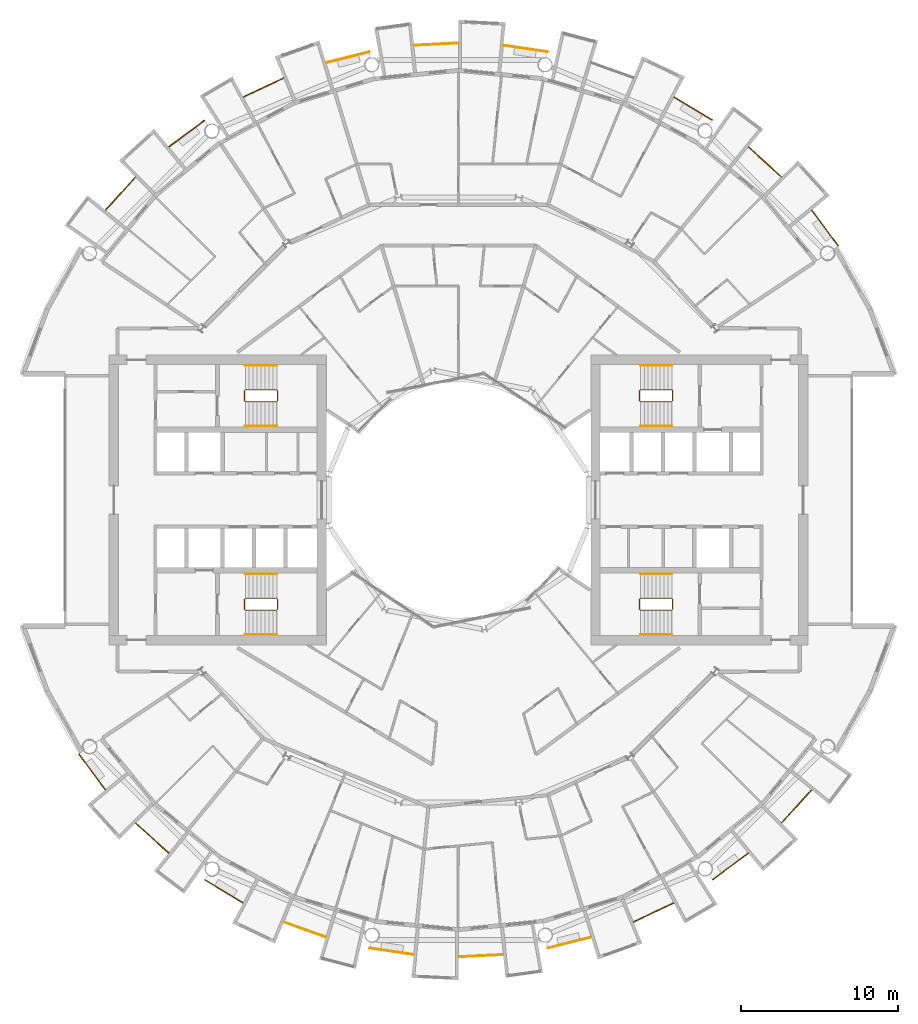
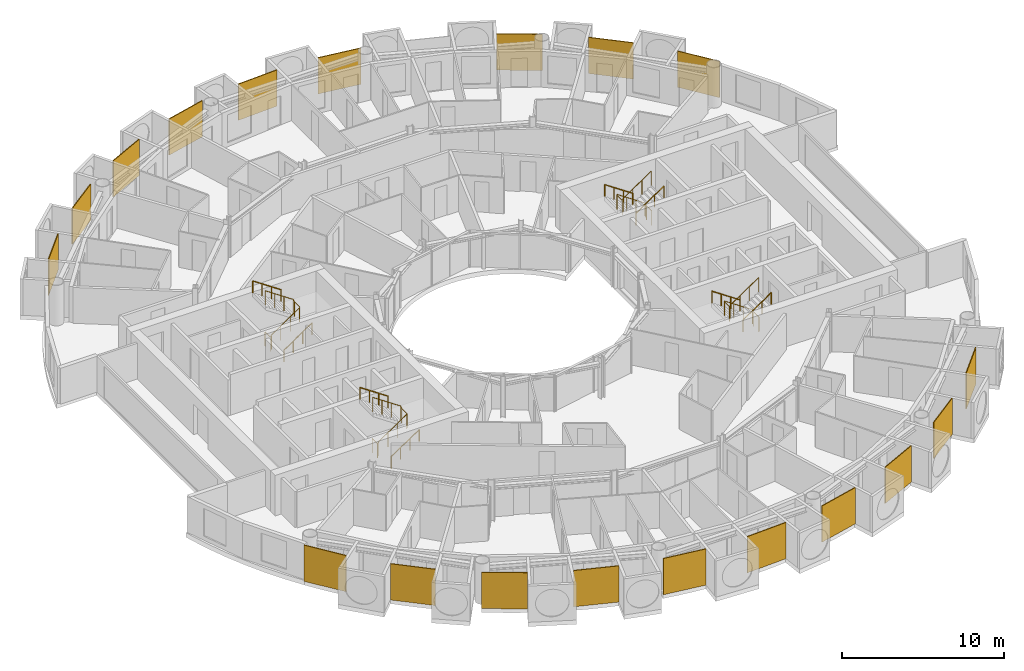
# One storey, part 26 of 27: 31 railings.
"""IFC4 building model written with IfcOpenShell, lengths in metres."""

from ifc_helpers import new_model, si_unit, direction, frame, origin, origin_2d, place, context, subcontext, project, spatial, polyline, circle, outline, extrude, material, layer, layer_set, type_object, element, save


model = new_model("IFC4")

# Units and contexts
model_context = context("Model", 3, precision=1e-05, world=origin(), true_north=direction((0.0, 1.0)))
body_context = subcontext(model_context, "Body", "Model", "MODEL_VIEW")
ifc_project = project(units=[si_unit("LENGTHUNIT", "METRE"), si_unit("AREAUNIT", "SQUARE_METRE"), si_unit("VOLUMEUNIT", "CUBIC_METRE"), si_unit("PLANEANGLEUNIT", "RADIAN"), si_unit("MASSUNIT", "GRAM", prefix="KILO")], contexts=[model_context])

# Site, building, storey
site_placement = place(None, origin())
site = spatial("IfcSite", under=ifc_project, at=site_placement, CompositionType="ELEMENT")
building_placement = place(site_placement, origin())
building = spatial("IfcBuilding", under=site, at=building_placement, Name="Maasbend Ring Residences", CompositionType="ELEMENT")
storey_placement = place(building_placement, frame((0.0, 0.0, 120.800048828125)))
storey = spatial("IfcBuildingStorey", under=building, at=storey_placement, Name="L34", CompositionType="ELEMENT", Elevation=120.800048828125)

# Railings
ifc_material_1 = material(Name="Pale anodised perforated aluminium", Category="aluminium")
ifc_layer = layer(ifc_material_1, 0.06005859375)
ifc_layer_set = layer_set([ifc_layer], Name="SCREEN-P")
railing_type_1 = type_object("IfcRailingType", Name="SCREEN-P", PredefinedType="GUARDRAIL", material=ifc_layer_set)
railing_1_placement = place(storey_placement, frame((0.0, 0.0, -0.030029296875)))
element("IfcRailing", 1, at=railing_1_placement, inside=storey, type_object=railing_type_1, Name="Perforated screen guard 1", PredefinedType="GUARDRAIL", context=body_context, shape_type="SweptSolid", body=[
    extrude(outline(polyline([(24.113037109375, 16.112060546875), (22.4169921875, 18.39697265625), (22.465087890625, 18.43310546875), (24.160888671875, 16.14697265625), (24.113037109375, 16.112060546875)])), origin(), (0.0, 0.0, 1.0), 2.72998046875),
])
railing_2_placement = place(storey_placement, frame((0.0, 0.0, -0.030029296875)))
element("IfcRailing", 2, at=railing_2_placement, inside=storey, type_object=railing_type_1, Name="Perforated screen guard 2", PredefinedType="GUARDRAIL", context=body_context, shape_type="SweptSolid", body=[
    extrude(outline(polyline([(20.506103515625, 20.506103515625), (18.39697265625, 22.4169921875), (18.43798828125, 22.4619140625), (20.5458984375, 20.551025390625), (20.506103515625, 20.506103515625)])), origin(), (0.0, 0.0, 1.0), 2.72998046875),
])
railing_3_placement = place(storey_placement, frame((0.0, 0.0, -0.030029296875)))
element("IfcRailing", 3, at=railing_3_placement, inside=storey, type_object=railing_type_1, Name="Perforated screen guard 3", PredefinedType="GUARDRAIL", context=body_context, shape_type="SweptSolid", body=[
    extrude(outline(polyline([(16.112060546875, 24.113037109375), (13.6708984375, 25.575927734375), (13.700927734375, 25.626953125), (16.14208984375, 24.1640625), (16.112060546875, 24.113037109375)])), origin(), (0.0, 0.0, 1.0), 2.72998046875),
])
railing_4_placement = place(storey_placement, frame((0.0, 0.0, -0.030029296875)))
element("IfcRailing", 4, at=railing_4_placement, inside=storey, type_object=railing_type_1, Name="Perforated screen guard 5", PredefinedType="GUARDRAIL", context=body_context, shape_type="SweptSolid", body=[
    extrude(outline(polyline([(5.657958984375, 28.443115234375), (2.842041015625, 28.860107421875), (2.85107421875, 28.919921875), (5.666015625, 28.501953125), (5.657958984375, 28.443115234375)])), origin(), (0.0, 0.0, 1.0), 2.72998046875),
])
railing_5_placement = place(storey_placement, frame((0.0, 0.0, -0.030029296875)))
element("IfcRailing", 5, at=railing_5_placement, inside=storey, type_object=railing_type_1, Name="Perforated screen guard 6", PredefinedType="GUARDRAIL", context=body_context, shape_type="SweptSolid", body=[
    extrude(outline(polyline([(0.0, 29.0), (-2.842041015625, 28.860107421875), (-2.844970703125, 28.919921875), (-0.0029296875, 29.06005859375), (0.0, 29.0)])), origin(), (0.0, 0.0, 1.0), 2.72998046875),
])
railing_6_placement = place(storey_placement, frame((0.0, 0.0, -0.030029296875)))
element("IfcRailing", 6, at=railing_6_placement, inside=storey, type_object=railing_type_1, Name="Perforated screen guard 7", PredefinedType="GUARDRAIL", context=body_context, shape_type="SweptSolid", body=[
    extrude(outline(polyline([(-5.657958984375, 28.443115234375), (-8.41796875, 27.7509765625), (-8.43310546875, 27.80908203125), (-5.672119140625, 28.5009765625), (-5.657958984375, 28.443115234375)])), origin(), (0.0, 0.0, 1.0), 2.72998046875),
])
railing_7_placement = place(storey_placement, frame((0.0, 0.0, -0.030029296875)))
element("IfcRailing", 7, at=railing_7_placement, inside=storey, type_object=railing_type_1, Name="Perforated screen guard 8", PredefinedType="GUARDRAIL", context=body_context, shape_type="SweptSolid", body=[
    extrude(outline(polyline([(-11.097900390625, 26.79296875), (-13.6708984375, 25.575927734375), (-13.696044921875, 25.6298828125), (-11.123046875, 26.846923828125), (-11.097900390625, 26.79296875)])), origin(), (0.0, 0.0, 1.0), 2.72998046875),
])
railing_8_placement = place(storey_placement, frame((0.0, 0.0, -0.030029296875)))
element("IfcRailing", 8, at=railing_8_placement, inside=storey, type_object=railing_type_1, Name="Perforated screen guard 9", PredefinedType="GUARDRAIL", context=body_context, shape_type="SweptSolid", body=[
    extrude(outline(polyline([(-16.112060546875, 24.113037109375), (-18.39697265625, 22.4169921875), (-18.43310546875, 22.465087890625), (-16.14697265625, 24.160888671875), (-16.112060546875, 24.113037109375)])), origin(), (0.0, 0.0, 1.0), 2.72998046875),
])
railing_9_placement = place(storey_placement, frame((0.0, 0.0, -0.030029296875)))
element("IfcRailing", 9, at=railing_9_placement, inside=storey, type_object=railing_type_1, Name="Perforated screen guard 10", PredefinedType="GUARDRAIL", context=body_context, shape_type="SweptSolid", body=[
    extrude(outline(polyline([(-20.506103515625, 20.506103515625), (-22.4169921875, 18.39697265625), (-22.4619140625, 18.43798828125), (-20.551025390625, 20.5458984375), (-20.506103515625, 20.506103515625)])), origin(), (0.0, 0.0, 1.0), 2.72998046875),
])
railing_10_placement = place(storey_placement, frame((0.0, 0.0, -0.030029296875)))
element("IfcRailing", 10, at=railing_10_placement, inside=storey, type_object=railing_type_1, Name="Perforated screen guard 1", PredefinedType="GUARDRAIL", context=body_context, shape_type="SweptSolid", body=[
    extrude(outline(polyline([(-24.113037109375, -16.112060546875), (-22.4169921875, -18.39697265625), (-22.465087890625, -18.43310546875), (-24.160888671875, -16.14697265625), (-24.113037109375, -16.112060546875)])), origin(), (0.0, 0.0, 1.0), 2.72998046875),
])
railing_11_placement = place(storey_placement, frame((0.0, 0.0, -0.030029296875)))
element("IfcRailing", 11, at=railing_11_placement, inside=storey, type_object=railing_type_1, Name="Perforated screen guard 2", PredefinedType="GUARDRAIL", context=body_context, shape_type="SweptSolid", body=[
    extrude(outline(polyline([(-20.506103515625, -20.506103515625), (-18.39697265625, -22.4169921875), (-18.43798828125, -22.4619140625), (-20.5458984375, -20.551025390625), (-20.506103515625, -20.506103515625)])), origin(), (0.0, 0.0, 1.0), 2.72998046875),
])
railing_12_placement = place(storey_placement, frame((0.0, 0.0, -0.030029296875)))
element("IfcRailing", 12, at=railing_12_placement, inside=storey, type_object=railing_type_1, Name="Perforated screen guard 3", PredefinedType="GUARDRAIL", context=body_context, shape_type="SweptSolid", body=[
    extrude(outline(polyline([(-16.112060546875, -24.113037109375), (-13.6708984375, -25.575927734375), (-13.700927734375, -25.626953125), (-16.14208984375, -24.1640625), (-16.112060546875, -24.113037109375)])), origin(), (0.0, 0.0, 1.0), 2.72998046875),
])
railing_13_placement = place(storey_placement, frame((0.0, 0.0, -0.030029296875)))
element("IfcRailing", 13, at=railing_13_placement, inside=storey, type_object=railing_type_1, Name="Perforated screen guard 4", PredefinedType="GUARDRAIL", context=body_context, shape_type="SweptSolid", body=[
    extrude(outline(polyline([(-11.097900390625, -26.79296875), (-8.41796875, -27.7509765625), (-8.43798828125, -27.80810546875), (-11.117919921875, -26.84912109375), (-11.097900390625, -26.79296875)])), origin(), (0.0, 0.0, 1.0), 2.72998046875),
])
railing_14_placement = place(storey_placement, frame((0.0, 0.0, -0.030029296875)))
element("IfcRailing", 14, at=railing_14_placement, inside=storey, type_object=railing_type_1, Name="Perforated screen guard 5", PredefinedType="GUARDRAIL", context=body_context, shape_type="SweptSolid", body=[
    extrude(outline(polyline([(-5.657958984375, -28.443115234375), (-2.842041015625, -28.860107421875), (-2.85107421875, -28.919921875), (-5.666015625, -28.501953125), (-5.657958984375, -28.443115234375)])), origin(), (0.0, 0.0, 1.0), 2.72998046875),
])
railing_15_placement = place(storey_placement, frame((0.0, 0.0, -0.030029296875)))
element("IfcRailing", 15, at=railing_15_placement, inside=storey, type_object=railing_type_1, Name="Perforated screen guard 6", PredefinedType="GUARDRAIL", context=body_context, shape_type="SweptSolid", body=[
    extrude(outline(polyline([(0.0, -29.0), (2.842041015625, -28.860107421875), (2.844970703125, -28.919921875), (0.0029296875, -29.06005859375), (0.0, -29.0)])), origin(), (0.0, 0.0, 1.0), 2.72998046875),
])
railing_16_placement = place(storey_placement, frame((0.0, 0.0, -0.030029296875)))
element("IfcRailing", 16, at=railing_16_placement, inside=storey, type_object=railing_type_1, Name="Perforated screen guard 7", PredefinedType="GUARDRAIL", context=body_context, shape_type="SweptSolid", body=[
    extrude(outline(polyline([(5.657958984375, -28.443115234375), (8.41796875, -27.7509765625), (8.43310546875, -27.80908203125), (5.672119140625, -28.5009765625), (5.657958984375, -28.443115234375)])), origin(), (0.0, 0.0, 1.0), 2.72998046875),
])
railing_17_placement = place(storey_placement, frame((0.0, 0.0, -0.030029296875)))
element("IfcRailing", 17, at=railing_17_placement, inside=storey, type_object=railing_type_1, Name="Perforated screen guard 8", PredefinedType="GUARDRAIL", context=body_context, shape_type="SweptSolid", body=[
    extrude(outline(polyline([(11.097900390625, -26.79296875), (13.6708984375, -25.575927734375), (13.696044921875, -25.6298828125), (11.123046875, -26.846923828125), (11.097900390625, -26.79296875)])), origin(), (0.0, 0.0, 1.0), 2.72998046875),
])
railing_18_placement = place(storey_placement, frame((0.0, 0.0, -0.030029296875)))
element("IfcRailing", 18, at=railing_18_placement, inside=storey, type_object=railing_type_1, Name="Perforated screen guard 9", PredefinedType="GUARDRAIL", context=body_context, shape_type="SweptSolid", body=[
    extrude(outline(polyline([(16.112060546875, -24.113037109375), (18.39697265625, -22.4169921875), (18.43310546875, -22.465087890625), (16.14697265625, -24.160888671875), (16.112060546875, -24.113037109375)])), origin(), (0.0, 0.0, 1.0), 2.72998046875),
])
railing_19_placement = place(storey_placement, frame((0.0, 0.0, -0.030029296875)))
element("IfcRailing", 19, at=railing_19_placement, inside=storey, type_object=railing_type_1, Name="Perforated screen guard 10", PredefinedType="GUARDRAIL", context=body_context, shape_type="SweptSolid", body=[
    extrude(outline(polyline([(20.506103515625, -20.506103515625), (22.4169921875, -18.39697265625), (22.4619140625, -18.43798828125), (20.551025390625, -20.5458984375), (20.506103515625, -20.506103515625)])), origin(), (0.0, 0.0, 1.0), 2.72998046875),
])
ifc_material_2 = material(Name="Stainless steel 316", Category="steel")
railing_type_2 = type_object("IfcRailingType", Name="STAIR GUARD 1100", PredefinedType="GUARDRAIL", material=ifc_material_2)
railing_20_placement = place(storey_placement, frame((13.60009765625, 6.300048828125, 0.0)))
element("IfcRailing", 20, at=railing_20_placement, inside=storey, type_object=railing_type_2, Name="L34 ST-E1 stair guard 1", PredefinedType="GUARDRAIL", context=body_context, shape_type="SweptSolid", body=[
    extrude(circle(Radius=0.02392578125, at=origin_2d()), frame((0.0, 0.0, 1.076171875), z_axis=(0.0, 1.0, 0.0), x_axis=(-1.0, 0.0, 0.0)), (0.0, 0.0, 1.0), 0.64990234375),
    extrude(circle(Radius=0.02392578125, at=origin_2d()), frame((0.0, 0.64990234375, 1.076171875), z_axis=(-0.272562526181, 0.272562526181, 0.92272386912), x_axis=(-0.707106781187, -0.707106781187, 0.0)), (0.0, 0.0, 1.0), 0.18359375),
    extrude(circle(Radius=0.02392578125, at=origin_2d()), frame((-0.050048828125, 0.699951171875, 1.24560546875), z_axis=(-0.827797584762, 0.0, 0.561026878735), x_axis=(0.0, -1.0, 0.0)), (0.0, 0.0, 1.0), 2.416015625),
    extrude(circle(Radius=0.02392578125, at=origin_2d()), frame((-2.050048828125, 0.699951171875, 2.60107421875), z_axis=(-0.707106781187, -0.707106781187, 0.0), x_axis=(0.707106781187, -0.707106781187, 0.0)), (0.0, 0.0, 1.0), 0.07080078125),
    extrude(circle(Radius=0.02392578125, at=origin_2d()), frame((-2.10009765625, 0.64990234375, 2.60107421875), z_axis=(0.0, -1.0, 0.0), x_axis=(1.0, 0.0, 0.0)), (0.0, 0.0, 1.0), 0.64990234375),
    extrude(circle(Radius=0.02392578125, at=origin_2d()), frame((-2.10009765625, 0.0, 2.60107421875), z_axis=(0.272562526181, -0.272562526181, 0.92272386912), x_axis=(0.707106781187, 0.707106781187, 0.0)), (0.0, 0.0, 1.0), 0.18359375),
    extrude(circle(Radius=0.02392578125, at=origin_2d()), frame((-2.050048828125, -0.050048828125, 2.7705078125), z_axis=(0.827750655447, 0.0, 0.561096116906), x_axis=(0.0, 1.0, 0.0)), (0.0, 0.0, 1.0), 2.416259765625),
    extrude(circle(Radius=0.02099609375, at=origin_2d()), origin(), (0.0, 0.0, 1.0), 1.052001953125),
    extrude(circle(Radius=0.02099609375, at=origin_2d()), frame((0.0, 0.64990234375, 0.0)), (0.0, 0.0, 1.0), 1.052001953125),
    extrude(circle(Radius=0.02099609375, at=origin_2d()), frame((-0.050048828125, 0.699951171875, 0.16943359375)), (0.0, 0.0, 1.0), 1.052001953125),
    extrude(circle(Radius=0.02099609375, at=origin_2d()), frame((-0.716796875, 0.699951171875, 0.621337890625)), (0.0, 0.0, 1.0), 1.052001953125),
    extrude(circle(Radius=0.02099609375, at=origin_2d()), frame((-1.38330078125, 0.699951171875, 1.072998046875)), (0.0, 0.0, 1.0), 1.052001953125),
    extrude(circle(Radius=0.02099609375, at=origin_2d()), frame((-2.050048828125, 0.699951171875, 1.52490234375)), (0.0, 0.0, 1.0), 1.052001953125),
    extrude(circle(Radius=0.02099609375, at=origin_2d()), frame((-2.10009765625, 0.64990234375, 1.52490234375)), (0.0, 0.0, 1.0), 1.052001953125),
    extrude(circle(Radius=0.02099609375, at=origin_2d()), frame((-2.10009765625, 0.0, 1.52490234375)), (0.0, 0.0, 1.0), 1.052001953125),
    extrude(circle(Radius=0.02099609375, at=origin_2d()), frame((-2.050048828125, -0.050048828125, 1.6943359375)), (0.0, 0.0, 1.0), 1.052001953125),
    extrude(circle(Radius=0.02099609375, at=origin_2d()), frame((-1.38330078125, -0.050048828125, 2.146240234375)), (0.0, 0.0, 1.0), 1.052001953125),
    extrude(circle(Radius=0.02099609375, at=origin_2d()), frame((-0.716796875, -0.050048828125, 2.59814453125)), (0.0, 0.0, 1.0), 1.052001953125),
    extrude(circle(Radius=0.02099609375, at=origin_2d()), frame((-0.050048828125, -0.050048828125, 3.050048828125)), (0.0, 0.0, 1.0), 1.052001953125),
])
railing_21_placement = place(storey_placement, frame((13.60009765625, -6.949951171875, 0.0)))
element("IfcRailing", 21, at=railing_21_placement, inside=storey, type_object=railing_type_2, Name="L34 ST-E2 stair guard 1", PredefinedType="GUARDRAIL", context=body_context, shape_type="SweptSolid", body=[
    extrude(circle(Radius=0.02392578125, at=origin_2d()), frame((0.0, 0.0, 1.076171875), z_axis=(0.0, 1.0, 0.0), x_axis=(-1.0, 0.0, 0.0)), (0.0, 0.0, 1.0), 0.64990234375),
    extrude(circle(Radius=0.02392578125, at=origin_2d()), frame((0.0, 0.64990234375, 1.076171875), z_axis=(-0.272562526181, 0.272562526181, 0.92272386912), x_axis=(-0.707106781187, -0.707106781187, 0.0)), (0.0, 0.0, 1.0), 0.18359375),
    extrude(circle(Radius=0.02392578125, at=origin_2d()), frame((-0.050048828125, 0.699951171875, 1.24560546875), z_axis=(-0.827797584762, 0.0, 0.561026878735), x_axis=(0.0, -1.0, 0.0)), (0.0, 0.0, 1.0), 2.416015625),
    extrude(circle(Radius=0.02392578125, at=origin_2d()), frame((-2.050048828125, 0.699951171875, 2.60107421875), z_axis=(-0.707106781187, -0.707106781187, 0.0), x_axis=(0.707106781187, -0.707106781187, 0.0)), (0.0, 0.0, 1.0), 0.07080078125),
    extrude(circle(Radius=0.02392578125, at=origin_2d()), frame((-2.10009765625, 0.64990234375, 2.60107421875), z_axis=(0.0, -1.0, 0.0), x_axis=(1.0, 0.0, 0.0)), (0.0, 0.0, 1.0), 0.64990234375),
    extrude(circle(Radius=0.02392578125, at=origin_2d()), frame((-2.10009765625, 0.0, 2.60107421875), z_axis=(0.272562526181, -0.272562526181, 0.92272386912), x_axis=(0.707106781187, 0.707106781187, 0.0)), (0.0, 0.0, 1.0), 0.18359375),
    extrude(circle(Radius=0.02392578125, at=origin_2d()), frame((-2.050048828125, -0.050048828125, 2.7705078125), z_axis=(0.827750655447, 0.0, 0.561096116906), x_axis=(0.0, 1.0, 0.0)), (0.0, 0.0, 1.0), 2.416259765625),
    extrude(circle(Radius=0.02099609375, at=origin_2d()), origin(), (0.0, 0.0, 1.0), 1.052001953125),
    extrude(circle(Radius=0.02099609375, at=origin_2d()), frame((0.0, 0.64990234375, 0.0)), (0.0, 0.0, 1.0), 1.052001953125),
    extrude(circle(Radius=0.02099609375, at=origin_2d()), frame((-0.050048828125, 0.699951171875, 0.16943359375)), (0.0, 0.0, 1.0), 1.052001953125),
    extrude(circle(Radius=0.02099609375, at=origin_2d()), frame((-0.716796875, 0.699951171875, 0.621337890625)), (0.0, 0.0, 1.0), 1.052001953125),
    extrude(circle(Radius=0.02099609375, at=origin_2d()), frame((-1.38330078125, 0.699951171875, 1.072998046875)), (0.0, 0.0, 1.0), 1.052001953125),
    extrude(circle(Radius=0.02099609375, at=origin_2d()), frame((-2.050048828125, 0.699951171875, 1.52490234375)), (0.0, 0.0, 1.0), 1.052001953125),
    extrude(circle(Radius=0.02099609375, at=origin_2d()), frame((-2.10009765625, 0.64990234375, 1.52490234375)), (0.0, 0.0, 1.0), 1.052001953125),
    extrude(circle(Radius=0.02099609375, at=origin_2d()), frame((-2.10009765625, 0.0, 1.52490234375)), (0.0, 0.0, 1.0), 1.052001953125),
    extrude(circle(Radius=0.02099609375, at=origin_2d()), frame((-2.050048828125, -0.050048828125, 1.6943359375)), (0.0, 0.0, 1.0), 1.052001953125),
    extrude(circle(Radius=0.02099609375, at=origin_2d()), frame((-1.38330078125, -0.050048828125, 2.146240234375)), (0.0, 0.0, 1.0), 1.052001953125),
    extrude(circle(Radius=0.02099609375, at=origin_2d()), frame((-0.716796875, -0.050048828125, 2.59814453125)), (0.0, 0.0, 1.0), 1.052001953125),
    extrude(circle(Radius=0.02099609375, at=origin_2d()), frame((-0.050048828125, -0.050048828125, 3.050048828125)), (0.0, 0.0, 1.0), 1.052001953125),
])
railing_22_placement = place(storey_placement, frame((-13.60009765625, -6.300048828125, 0.0)))
element("IfcRailing", 22, at=railing_22_placement, inside=storey, type_object=railing_type_2, Name="L34 ST-W1 stair guard 1", PredefinedType="GUARDRAIL", context=body_context, shape_type="SweptSolid", body=[
    extrude(circle(Radius=0.02392578125, at=origin_2d()), frame((0.0, 0.0, 1.076171875), z_axis=(0.0, -1.0, 0.0), x_axis=(1.0, 0.0, 0.0)), (0.0, 0.0, 1.0), 0.64990234375),
    extrude(circle(Radius=0.02392578125, at=origin_2d()), frame((0.0, -0.64990234375, 1.076171875), z_axis=(0.272562526181, -0.272562526181, 0.92272386912), x_axis=(0.707106781187, 0.707106781187, 0.0)), (0.0, 0.0, 1.0), 0.18359375),
    extrude(circle(Radius=0.02392578125, at=origin_2d()), frame((0.050048828125, -0.699951171875, 1.24560546875), z_axis=(0.827797584762, 0.0, 0.561026878735), x_axis=(0.0, 1.0, 0.0)), (0.0, 0.0, 1.0), 2.416015625),
    extrude(circle(Radius=0.02392578125, at=origin_2d()), frame((2.050048828125, -0.699951171875, 2.60107421875), z_axis=(0.707106781187, 0.707106781187, 0.0), x_axis=(-0.707106781187, 0.707106781187, 0.0)), (0.0, 0.0, 1.0), 0.07080078125),
    extrude(circle(Radius=0.02392578125, at=origin_2d()), frame((2.10009765625, -0.64990234375, 2.60107421875), z_axis=(0.0, 1.0, 0.0), x_axis=(-1.0, 0.0, 0.0)), (0.0, 0.0, 1.0), 0.64990234375),
    extrude(circle(Radius=0.02392578125, at=origin_2d()), frame((2.10009765625, 0.0, 2.60107421875), z_axis=(-0.272562526181, 0.272562526181, 0.92272386912), x_axis=(-0.707106781187, -0.707106781187, 0.0)), (0.0, 0.0, 1.0), 0.18359375),
    extrude(circle(Radius=0.02392578125, at=origin_2d()), frame((2.050048828125, 0.050048828125, 2.7705078125), z_axis=(-0.827750655447, 0.0, 0.561096116906), x_axis=(0.0, -1.0, 0.0)), (0.0, 0.0, 1.0), 2.416259765625),
    extrude(circle(Radius=0.02099609375, at=origin_2d()), origin(), (0.0, 0.0, 1.0), 1.052001953125),
    extrude(circle(Radius=0.02099609375, at=origin_2d()), frame((0.0, -0.64990234375, 0.0)), (0.0, 0.0, 1.0), 1.052001953125),
    extrude(circle(Radius=0.02099609375, at=origin_2d()), frame((0.050048828125, -0.699951171875, 0.16943359375)), (0.0, 0.0, 1.0), 1.052001953125),
    extrude(circle(Radius=0.02099609375, at=origin_2d()), frame((0.716796875, -0.699951171875, 0.621337890625)), (0.0, 0.0, 1.0), 1.052001953125),
    extrude(circle(Radius=0.02099609375, at=origin_2d()), frame((1.38330078125, -0.699951171875, 1.072998046875)), (0.0, 0.0, 1.0), 1.052001953125),
    extrude(circle(Radius=0.02099609375, at=origin_2d()), frame((2.050048828125, -0.699951171875, 1.52490234375)), (0.0, 0.0, 1.0), 1.052001953125),
    extrude(circle(Radius=0.02099609375, at=origin_2d()), frame((2.10009765625, -0.64990234375, 1.52490234375)), (0.0, 0.0, 1.0), 1.052001953125),
    extrude(circle(Radius=0.02099609375, at=origin_2d()), frame((2.10009765625, 0.0, 1.52490234375)), (0.0, 0.0, 1.0), 1.052001953125),
    extrude(circle(Radius=0.02099609375, at=origin_2d()), frame((2.050048828125, 0.050048828125, 1.6943359375)), (0.0, 0.0, 1.0), 1.052001953125),
    extrude(circle(Radius=0.02099609375, at=origin_2d()), frame((1.38330078125, 0.050048828125, 2.146240234375)), (0.0, 0.0, 1.0), 1.052001953125),
    extrude(circle(Radius=0.02099609375, at=origin_2d()), frame((0.716796875, 0.050048828125, 2.59814453125)), (0.0, 0.0, 1.0), 1.052001953125),
    extrude(circle(Radius=0.02099609375, at=origin_2d()), frame((0.050048828125, 0.050048828125, 3.050048828125)), (0.0, 0.0, 1.0), 1.052001953125),
])
railing_23_placement = place(storey_placement, frame((-13.60009765625, 6.949951171875, 0.0)))
element("IfcRailing", 23, at=railing_23_placement, inside=storey, type_object=railing_type_2, Name="L34 ST-W2 stair guard 1", PredefinedType="GUARDRAIL", context=body_context, shape_type="SweptSolid", body=[
    extrude(circle(Radius=0.02392578125, at=origin_2d()), frame((0.0, 0.0, 1.076171875), z_axis=(0.0, -1.0, 0.0), x_axis=(1.0, 0.0, 0.0)), (0.0, 0.0, 1.0), 0.64990234375),
    extrude(circle(Radius=0.02392578125, at=origin_2d()), frame((0.0, -0.64990234375, 1.076171875), z_axis=(0.272562526181, -0.272562526181, 0.92272386912), x_axis=(0.707106781187, 0.707106781187, 0.0)), (0.0, 0.0, 1.0), 0.18359375),
    extrude(circle(Radius=0.02392578125, at=origin_2d()), frame((0.050048828125, -0.699951171875, 1.24560546875), z_axis=(0.827797584762, 0.0, 0.561026878735), x_axis=(0.0, 1.0, 0.0)), (0.0, 0.0, 1.0), 2.416015625),
    extrude(circle(Radius=0.02392578125, at=origin_2d()), frame((2.050048828125, -0.699951171875, 2.60107421875), z_axis=(0.707106781187, 0.707106781187, 0.0), x_axis=(-0.707106781187, 0.707106781187, 0.0)), (0.0, 0.0, 1.0), 0.07080078125),
    extrude(circle(Radius=0.02392578125, at=origin_2d()), frame((2.10009765625, -0.64990234375, 2.60107421875), z_axis=(0.0, 1.0, 0.0), x_axis=(-1.0, 0.0, 0.0)), (0.0, 0.0, 1.0), 0.64990234375),
    extrude(circle(Radius=0.02392578125, at=origin_2d()), frame((2.10009765625, 0.0, 2.60107421875), z_axis=(-0.272562526181, 0.272562526181, 0.92272386912), x_axis=(-0.707106781187, -0.707106781187, 0.0)), (0.0, 0.0, 1.0), 0.18359375),
    extrude(circle(Radius=0.02392578125, at=origin_2d()), frame((2.050048828125, 0.050048828125, 2.7705078125), z_axis=(-0.827750655447, 0.0, 0.561096116906), x_axis=(0.0, -1.0, 0.0)), (0.0, 0.0, 1.0), 2.416259765625),
    extrude(circle(Radius=0.02099609375, at=origin_2d()), origin(), (0.0, 0.0, 1.0), 1.052001953125),
    extrude(circle(Radius=0.02099609375, at=origin_2d()), frame((0.0, -0.64990234375, 0.0)), (0.0, 0.0, 1.0), 1.052001953125),
    extrude(circle(Radius=0.02099609375, at=origin_2d()), frame((0.050048828125, -0.699951171875, 0.16943359375)), (0.0, 0.0, 1.0), 1.052001953125),
    extrude(circle(Radius=0.02099609375, at=origin_2d()), frame((0.716796875, -0.699951171875, 0.621337890625)), (0.0, 0.0, 1.0), 1.052001953125),
    extrude(circle(Radius=0.02099609375, at=origin_2d()), frame((1.38330078125, -0.699951171875, 1.072998046875)), (0.0, 0.0, 1.0), 1.052001953125),
    extrude(circle(Radius=0.02099609375, at=origin_2d()), frame((2.050048828125, -0.699951171875, 1.52490234375)), (0.0, 0.0, 1.0), 1.052001953125),
    extrude(circle(Radius=0.02099609375, at=origin_2d()), frame((2.10009765625, -0.64990234375, 1.52490234375)), (0.0, 0.0, 1.0), 1.052001953125),
    extrude(circle(Radius=0.02099609375, at=origin_2d()), frame((2.10009765625, 0.0, 1.52490234375)), (0.0, 0.0, 1.0), 1.052001953125),
    extrude(circle(Radius=0.02099609375, at=origin_2d()), frame((2.050048828125, 0.050048828125, 1.6943359375)), (0.0, 0.0, 1.0), 1.052001953125),
    extrude(circle(Radius=0.02099609375, at=origin_2d()), frame((1.38330078125, 0.050048828125, 2.146240234375)), (0.0, 0.0, 1.0), 1.052001953125),
    extrude(circle(Radius=0.02099609375, at=origin_2d()), frame((0.716796875, 0.050048828125, 2.59814453125)), (0.0, 0.0, 1.0), 1.052001953125),
    extrude(circle(Radius=0.02099609375, at=origin_2d()), frame((0.050048828125, 0.050048828125, 3.050048828125)), (0.0, 0.0, 1.0), 1.052001953125),
])
ifc_material_3 = material(Name="Stainless steel 316", Category="steel")
railing_type_3 = type_object("IfcRailingType", Name="STAIR HANDRAIL 900", PredefinedType="HANDRAIL", material=ifc_material_3)
railing_24_placement = place(storey_placement, frame((13.550048828125, 8.550048828125, 0.16943359375)))
element("IfcRailing", 24, at=railing_24_placement, inside=storey, type_object=railing_type_3, Name="L34 ST-E1 stair handrail 1", PredefinedType="HANDRAIL", context=body_context, shape_type="SweptSolid", body=[
    extrude(circle(Radius=0.02392578125, at=origin_2d()), frame((0.0, 0.0, 0.8759765625), z_axis=(-0.827797584762, 0.0, 0.561026878735), x_axis=(0.0, -1.0, 0.0)), (0.0, 0.0, 1.0), 2.416015625),
    extrude(circle(Radius=0.02099609375, at=origin_2d()), origin(), (0.0, 0.0, 1.0), 0.851806640625),
    extrude(circle(Radius=0.02099609375, at=origin_2d()), frame((-0.666748046875, 0.0, 0.451904296875)), (0.0, 0.0, 1.0), 0.851806640625),
    extrude(circle(Radius=0.02099609375, at=origin_2d()), frame((-1.333251953125, 0.0, 0.903564453125)), (0.0, 0.0, 1.0), 0.851806640625),
    extrude(circle(Radius=0.02099609375, at=origin_2d()), frame((-2.0, 0.0, 1.35546875)), (0.0, 0.0, 1.0), 0.851806640625),
])
railing_25_placement = place(storey_placement, frame((11.550048828125, 4.699951171875, 1.6943359375)))
element("IfcRailing", 25, at=railing_25_placement, inside=storey, type_object=railing_type_3, Name="L34 ST-E1 stair handrail 2", PredefinedType="HANDRAIL", context=body_context, shape_type="SweptSolid", body=[
    extrude(circle(Radius=0.02392578125, at=origin_2d()), frame((0.0, 0.0, 0.8759765625), z_axis=(0.827750655447, 0.0, 0.561096116906), x_axis=(0.0, 1.0, 0.0)), (0.0, 0.0, 1.0), 2.416259765625),
    extrude(circle(Radius=0.02099609375, at=origin_2d()), origin(), (0.0, 0.0, 1.0), 0.851806640625),
    extrude(circle(Radius=0.02099609375, at=origin_2d()), frame((0.666748046875, 0.0, 0.451904296875)), (0.0, 0.0, 1.0), 0.851806640625),
    extrude(circle(Radius=0.02099609375, at=origin_2d()), frame((1.333251953125, 0.0, 0.90380859375)), (0.0, 0.0, 1.0), 0.851806640625),
    extrude(circle(Radius=0.02099609375, at=origin_2d()), frame((2.0, 0.0, 1.355712890625)), (0.0, 0.0, 1.0), 0.851806640625),
])
railing_26_placement = place(storey_placement, frame((13.550048828125, -4.699951171875, 0.16943359375)))
element("IfcRailing", 26, at=railing_26_placement, inside=storey, type_object=railing_type_3, Name="L34 ST-E2 stair handrail 1", PredefinedType="HANDRAIL", context=body_context, shape_type="SweptSolid", body=[
    extrude(circle(Radius=0.02392578125, at=origin_2d()), frame((0.0, 0.0, 0.8759765625), z_axis=(-0.827797584762, 0.0, 0.561026878735), x_axis=(0.0, -1.0, 0.0)), (0.0, 0.0, 1.0), 2.416015625),
    extrude(circle(Radius=0.02099609375, at=origin_2d()), origin(), (0.0, 0.0, 1.0), 0.851806640625),
    extrude(circle(Radius=0.02099609375, at=origin_2d()), frame((-0.666748046875, 0.0, 0.451904296875)), (0.0, 0.0, 1.0), 0.851806640625),
    extrude(circle(Radius=0.02099609375, at=origin_2d()), frame((-1.333251953125, 0.0, 0.903564453125)), (0.0, 0.0, 1.0), 0.851806640625),
    extrude(circle(Radius=0.02099609375, at=origin_2d()), frame((-2.0, 0.0, 1.35546875)), (0.0, 0.0, 1.0), 0.851806640625),
])
railing_27_placement = place(storey_placement, frame((11.550048828125, -8.550048828125, 1.6943359375)))
element("IfcRailing", 27, at=railing_27_placement, inside=storey, type_object=railing_type_3, Name="L34 ST-E2 stair handrail 2", PredefinedType="HANDRAIL", context=body_context, shape_type="SweptSolid", body=[
    extrude(circle(Radius=0.02392578125, at=origin_2d()), frame((0.0, 0.0, 0.8759765625), z_axis=(0.827750655447, 0.0, 0.561096116906), x_axis=(0.0, 1.0, 0.0)), (0.0, 0.0, 1.0), 2.416259765625),
    extrude(circle(Radius=0.02099609375, at=origin_2d()), origin(), (0.0, 0.0, 1.0), 0.851806640625),
    extrude(circle(Radius=0.02099609375, at=origin_2d()), frame((0.666748046875, 0.0, 0.451904296875)), (0.0, 0.0, 1.0), 0.851806640625),
    extrude(circle(Radius=0.02099609375, at=origin_2d()), frame((1.333251953125, 0.0, 0.90380859375)), (0.0, 0.0, 1.0), 0.851806640625),
    extrude(circle(Radius=0.02099609375, at=origin_2d()), frame((2.0, 0.0, 1.355712890625)), (0.0, 0.0, 1.0), 0.851806640625),
])
railing_28_placement = place(storey_placement, frame((-13.550048828125, -8.550048828125, 0.16943359375)))
element("IfcRailing", 28, at=railing_28_placement, inside=storey, type_object=railing_type_3, Name="L34 ST-W1 stair handrail 1", PredefinedType="HANDRAIL", context=body_context, shape_type="SweptSolid", body=[
    extrude(circle(Radius=0.02392578125, at=origin_2d()), frame((0.0, 0.0, 0.8759765625), z_axis=(0.827797584762, 0.0, 0.561026878735), x_axis=(0.0, 1.0, 0.0)), (0.0, 0.0, 1.0), 2.416015625),
    extrude(circle(Radius=0.02099609375, at=origin_2d()), origin(), (0.0, 0.0, 1.0), 0.851806640625),
    extrude(circle(Radius=0.02099609375, at=origin_2d()), frame((0.666748046875, 0.0, 0.451904296875)), (0.0, 0.0, 1.0), 0.851806640625),
    extrude(circle(Radius=0.02099609375, at=origin_2d()), frame((1.333251953125, 0.0, 0.903564453125)), (0.0, 0.0, 1.0), 0.851806640625),
    extrude(circle(Radius=0.02099609375, at=origin_2d()), frame((2.0, 0.0, 1.35546875)), (0.0, 0.0, 1.0), 0.851806640625),
])
railing_29_placement = place(storey_placement, frame((-11.550048828125, -4.699951171875, 1.6943359375)))
element("IfcRailing", 29, at=railing_29_placement, inside=storey, type_object=railing_type_3, Name="L34 ST-W1 stair handrail 2", PredefinedType="HANDRAIL", context=body_context, shape_type="SweptSolid", body=[
    extrude(circle(Radius=0.02392578125, at=origin_2d()), frame((0.0, 0.0, 0.8759765625), z_axis=(-0.827750655447, 0.0, 0.561096116906), x_axis=(0.0, -1.0, 0.0)), (0.0, 0.0, 1.0), 2.416259765625),
    extrude(circle(Radius=0.02099609375, at=origin_2d()), origin(), (0.0, 0.0, 1.0), 0.851806640625),
    extrude(circle(Radius=0.02099609375, at=origin_2d()), frame((-0.666748046875, 0.0, 0.451904296875)), (0.0, 0.0, 1.0), 0.851806640625),
    extrude(circle(Radius=0.02099609375, at=origin_2d()), frame((-1.333251953125, 0.0, 0.90380859375)), (0.0, 0.0, 1.0), 0.851806640625),
    extrude(circle(Radius=0.02099609375, at=origin_2d()), frame((-2.0, 0.0, 1.355712890625)), (0.0, 0.0, 1.0), 0.851806640625),
])
railing_30_placement = place(storey_placement, frame((-13.550048828125, 4.699951171875, 0.16943359375)))
element("IfcRailing", 30, at=railing_30_placement, inside=storey, type_object=railing_type_3, Name="L34 ST-W2 stair handrail 1", PredefinedType="HANDRAIL", context=body_context, shape_type="SweptSolid", body=[
    extrude(circle(Radius=0.02392578125, at=origin_2d()), frame((0.0, 0.0, 0.8759765625), z_axis=(0.827797584762, 0.0, 0.561026878735), x_axis=(0.0, 1.0, 0.0)), (0.0, 0.0, 1.0), 2.416015625),
    extrude(circle(Radius=0.02099609375, at=origin_2d()), origin(), (0.0, 0.0, 1.0), 0.851806640625),
    extrude(circle(Radius=0.02099609375, at=origin_2d()), frame((0.666748046875, 0.0, 0.451904296875)), (0.0, 0.0, 1.0), 0.851806640625),
    extrude(circle(Radius=0.02099609375, at=origin_2d()), frame((1.333251953125, 0.0, 0.903564453125)), (0.0, 0.0, 1.0), 0.851806640625),
    extrude(circle(Radius=0.02099609375, at=origin_2d()), frame((2.0, 0.0, 1.35546875)), (0.0, 0.0, 1.0), 0.851806640625),
])
railing_31_placement = place(storey_placement, frame((-11.550048828125, 8.550048828125, 1.6943359375)))
element("IfcRailing", 31, at=railing_31_placement, inside=storey, type_object=railing_type_3, Name="L34 ST-W2 stair handrail 2", PredefinedType="HANDRAIL", context=body_context, shape_type="SweptSolid", body=[
    extrude(circle(Radius=0.02392578125, at=origin_2d()), frame((0.0, 0.0, 0.8759765625), z_axis=(-0.827750655447, 0.0, 0.561096116906), x_axis=(0.0, -1.0, 0.0)), (0.0, 0.0, 1.0), 2.416259765625),
    extrude(circle(Radius=0.02099609375, at=origin_2d()), origin(), (0.0, 0.0, 1.0), 0.851806640625),
    extrude(circle(Radius=0.02099609375, at=origin_2d()), frame((-0.666748046875, 0.0, 0.451904296875)), (0.0, 0.0, 1.0), 0.851806640625),
    extrude(circle(Radius=0.02099609375, at=origin_2d()), frame((-1.333251953125, 0.0, 0.90380859375)), (0.0, 0.0, 1.0), 0.851806640625),
    extrude(circle(Radius=0.02099609375, at=origin_2d()), frame((-2.0, 0.0, 1.355712890625)), (0.0, 0.0, 1.0), 0.851806640625),
])

save(model, "model.ifc")
